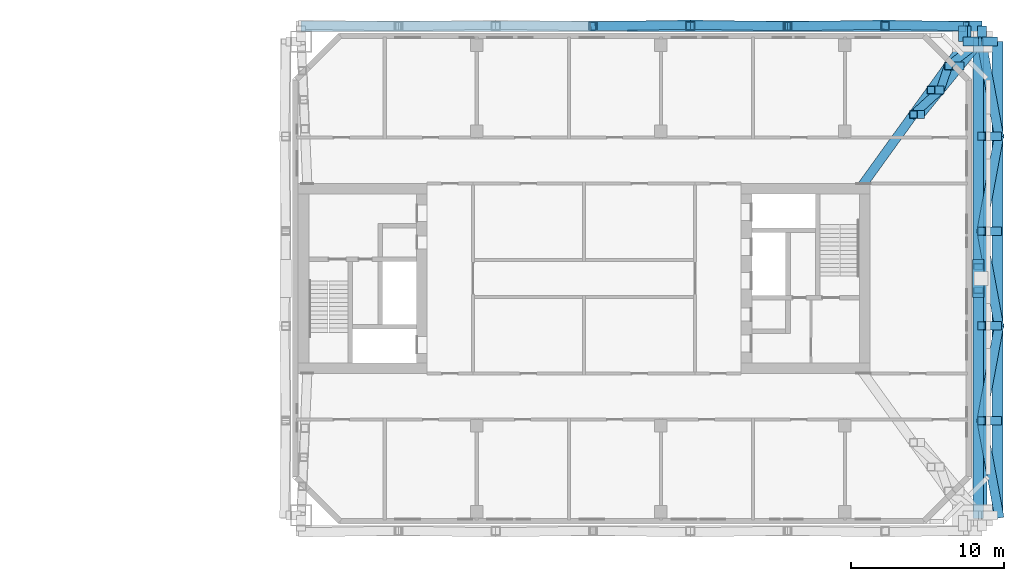
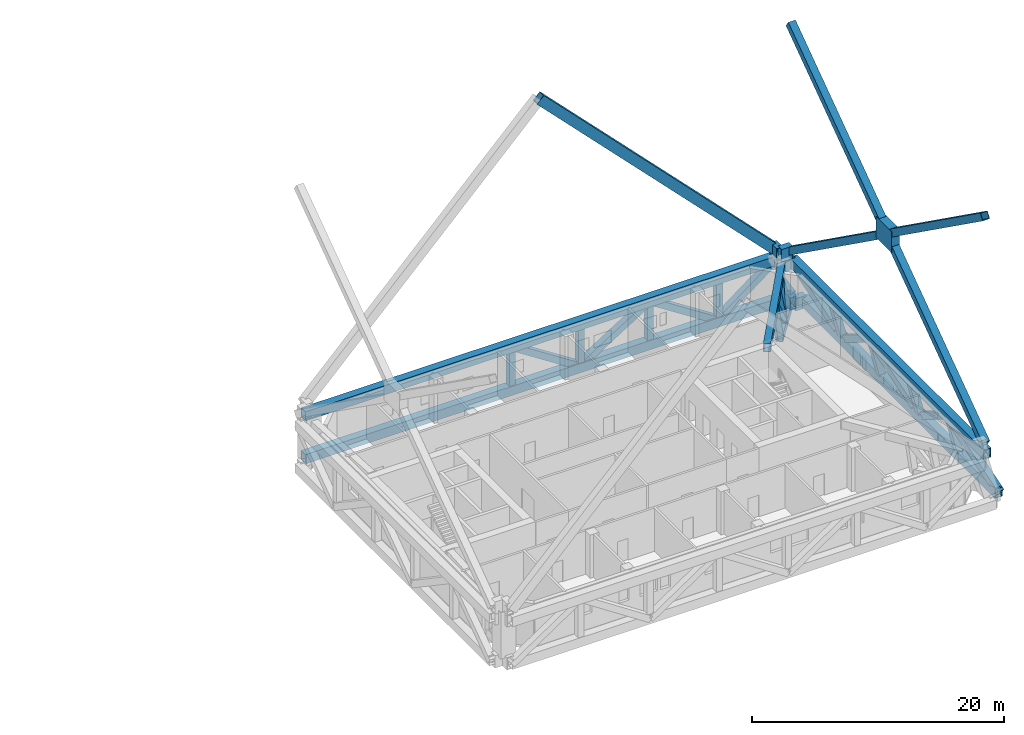
# One storey, part 5 of 20: 29 members, 12 beams.
"""IFC4 building model written with IfcOpenShell, lengths in metres."""

from ifc_helpers import new_model, si_unit, direction, frame, origin, origin_2d, place, context, subcontext, project, spatial, rectangle, hollow_rectangle, extrude, material, material_profile, profile_set, type_object, element, save


model = new_model("IFC4")

# Units and contexts
model_context = context("Model", 3, precision=1e-05, world=origin(), true_north=direction((0.0, 1.0)))
body_context = subcontext(model_context, "Body", "Model", "MODEL_VIEW")
ifc_project = project(units=[si_unit("LENGTHUNIT", "METRE"), si_unit("AREAUNIT", "SQUARE_METRE"), si_unit("VOLUMEUNIT", "CUBIC_METRE"), si_unit("PLANEANGLEUNIT", "RADIAN"), si_unit("MASSUNIT", "GRAM", prefix="KILO")], contexts=[model_context])

# Site, building, storey
site_placement = place(None, origin())
site = spatial("IfcSite", under=ifc_project, at=site_placement, CompositionType="ELEMENT")
building_placement = place(site_placement, origin())
building = spatial("IfcBuilding", under=site, at=building_placement, Name="Tuart Gate Housing", CompositionType="ELEMENT")
storey_placement = place(building_placement, frame((0.0, 0.0, 62.89990234375)))
storey = spatial("IfcBuildingStorey", under=building, at=storey_placement, Name="L17", CompositionType="ELEMENT", Elevation=62.89990234375)

# Beams
ifc_material_1 = material(Name="Steel Grade 350", Category="steel")
ifc_material_profile_1 = material_profile(ifc_material_1, hollow_rectangle(XDim=0.699951171875, YDim=0.89990234375, WallThickness=0.0400390625, at=origin_2d()), Name="BOX 900x700x40")
ifc_profile_set_1 = profile_set([ifc_material_profile_1], Name="Steel Grade 350")
beam_type_1 = type_object("IfcBeamType", Name="Belt truss chord BOX 900x700x40", PredefinedType="BEAM", material=ifc_profile_set_1)
beam_1_placement = place(storey_placement, frame((175.908203125, 54.550048828125, 3.75), z_axis=(0.0, 1.0, 0.0), x_axis=(-1.0, 0.0, 0.0)))
element("IfcBeam", 1, at=beam_1_placement, inside=storey, type_object=beam_type_1, Name="Belt truss top chord B east L17", PredefinedType="BEAM", context=body_context, shape_type="SweptSolid", body=[
    extrude(hollow_rectangle(XDim=0.699951171875, YDim=0.89990234375, WallThickness=0.0400390625, at=origin_2d()), origin(), (0.0, 0.0, 1.0), 30.89990234375),
])
ifc_material_2 = material(Name="Steel Grade 350", Category="steel")
ifc_material_profile_2 = material_profile(ifc_material_2, hollow_rectangle(XDim=0.699951171875, YDim=0.89990234375, WallThickness=0.0400390625, at=origin_2d()), Name="BOX 900x700x40")
ifc_profile_set_2 = profile_set([ifc_material_profile_2], Name="Steel Grade 350")
beam_type_2 = type_object("IfcBeamType", Name="Belt truss chord BOX 900x700x40 (40.9-51.9 m)", PredefinedType="BEAM", material=ifc_profile_set_2)
beam_2_placement = place(storey_placement, frame((131.550048828125, 86.449951171875, 3.75), z_axis=(1.0, 0.0, 0.0), x_axis=(0.0, 1.0, 0.0)))
element("IfcBeam", 2, at=beam_2_placement, inside=storey, type_object=beam_type_2, Name="Belt truss top chord B north L17", PredefinedType="BEAM", context=body_context, shape_type="SweptSolid", body=[
    extrude(hollow_rectangle(XDim=0.699951171875, YDim=0.89990234375, WallThickness=0.0400390625, at=origin_2d()), origin(), (0.0, 0.0, 1.0), 43.358154296875),
])

# Members
ifc_material_3 = material(Name="Steel Grade 350", Category="steel")
ifc_material_profile_3 = material_profile(ifc_material_3, hollow_rectangle(XDim=0.60009765625, YDim=0.60009765625, WallThickness=0.031982421875, at=origin_2d()), Name="BOX 600x600x32")
ifc_profile_set_3 = profile_set([ifc_material_profile_3], Name="Steel Grade 350")
member_type_1 = type_object("IfcMemberType", Name="Belt truss diagonal BOX 600x600x32", PredefinedType="BRACE", material=ifc_profile_set_3)
member_1_placement = place(storey_placement, frame((150.57861328125, 86.449951171875, 3.75), z_axis=(0.836733199961, 0.013204796458, -0.547451537064), x_axis=(-0.015779405464, 0.999875497431, 0.0)))
element("IfcMember", 3, at=member_1_placement, inside=storey, type_object=member_type_1, Name="Belt truss diagonal B north 3 L17", PredefinedType="BRACE", context=body_context, shape_type="SweptSolid", body=[
    extrude(hollow_rectangle(XDim=0.60009765625, YDim=0.60009765625, WallThickness=0.031982421875, at=origin_2d()), origin(), (0.0, 0.0, 1.0), 7.580322265625),
])
member_2_placement = place(storey_placement, frame((156.92138671875, 86.550048828125, -0.39990234375), z_axis=(0.836742857673, -0.013204440616, 0.54743678437), x_axis=(0.015778798271, 0.999875507013, 0.0)))
element("IfcMember", 4, at=member_2_placement, inside=storey, type_object=member_type_1, Name="Belt truss diagonal B north 4 L17", PredefinedType="BRACE", context=body_context, shape_type="SweptSolid", body=[
    extrude(hollow_rectangle(XDim=0.60009765625, YDim=0.60009765625, WallThickness=0.031982421875, at=origin_2d()), origin(), (0.0, 0.0, 1.0), 7.58056640625),
])
member_3_placement = place(storey_placement, frame((163.264404296875, 86.449951171875, 3.75), z_axis=(0.836733199961, 0.013204796458, -0.547451537064), x_axis=(-0.015779405464, 0.999875497431, 0.0)))
element("IfcMember", 5, at=member_3_placement, inside=storey, type_object=member_type_1, Name="Belt truss diagonal B north 5 L17", PredefinedType="BRACE", context=body_context, shape_type="SweptSolid", body=[
    extrude(hollow_rectangle(XDim=0.60009765625, YDim=0.60009765625, WallThickness=0.031982421875, at=origin_2d()), origin(), (0.0, 0.0, 1.0), 7.580322265625),
])
member_4_placement = place(storey_placement, frame((169.607177734375, 86.550048828125, -0.39990234375), z_axis=(0.787326138635, -0.014866840917, 0.616357468084), x_axis=(0.01887933153, 0.999821769537, 0.0)))
element("IfcMember", 6, at=member_4_placement, inside=storey, type_object=member_type_1, Name="Belt truss diagonal B north 6 L17", PredefinedType="BRACE", context=body_context, shape_type="SweptSolid", body=[
    extrude(hollow_rectangle(XDim=0.60009765625, YDim=0.60009765625, WallThickness=0.031982421875, at=origin_2d()), origin(), (0.0, 0.0, 1.0), 6.73291015625),
])
for number, where, z_axis, x_axis, name in (
    (7, (177.050048828125, 54.550048828125, -0.39990234375), (-0.151617936405, 0.820591153351, 0.551037349372), (-0.983355601449, -0.18169138972, 0.0), "Belt truss diagonal B east 0 L17"),
    (8, (175.908203125, 60.72998046875, 3.75), (0.151617936405, 0.820591153351, -0.551037349372), (-0.983355601449, 0.18169138972, 0.0), "Belt truss diagonal B east 1 L17"),
):
    element("IfcMember", number, at=place(storey_placement, frame(where, z_axis=z_axis, x_axis=x_axis)), inside=storey, type_object=member_type_1, Name=name, PredefinedType="BRACE", context=body_context, shape_type="SweptSolid", body=[
        extrude(hollow_rectangle(XDim=0.60009765625, YDim=0.60009765625, WallThickness=0.031982421875, at=origin_2d()), origin(), (0.0, 0.0, 1.0), 7.531005859375),
    ])
member_5_placement = place(storey_placement, frame((177.050048828125, 66.909912109375, -0.39990234375), z_axis=(-0.151613903185, 0.820601741551, 0.551022691115), x_axis=(-0.983356883812, -0.181684449142, 0.0)))
element("IfcMember", 9, at=member_5_placement, inside=storey, type_object=member_type_1, Name="Belt truss diagonal B east 2 L17", PredefinedType="BRACE", context=body_context, shape_type="SweptSolid", body=[
    extrude(hollow_rectangle(XDim=0.60009765625, YDim=0.60009765625, WallThickness=0.031982421875, at=origin_2d()), origin(), (0.0, 0.0, 1.0), 7.53125),
])
for number, where, z_axis, x_axis, name in (
    (10, (175.908203125, 73.090087890625, 3.75), (0.151617936405, 0.820591153351, -0.551037349372), (-0.983355601449, 0.18169138972, 0.0), "Belt truss diagonal B east 3 L17"),
    (11, (177.050048828125, 79.27001953125, -0.39990234375), (-0.151617936405, 0.820591153351, 0.551037349372), (-0.983355601449, -0.18169138972, 0.0), "Belt truss diagonal B east 4 L17"),
):
    element("IfcMember", number, at=place(storey_placement, frame(where, z_axis=z_axis, x_axis=x_axis)), inside=storey, type_object=member_type_1, Name=name, PredefinedType="BRACE", context=body_context, shape_type="SweptSolid", body=[
        extrude(hollow_rectangle(XDim=0.60009765625, YDim=0.60009765625, WallThickness=0.031982421875, at=origin_2d()), origin(), (0.0, 0.0, 1.0), 7.531005859375),
    ])
ifc_material_4 = material(Name="Steel Grade 350", Category="steel")
ifc_material_profile_4 = material_profile(ifc_material_4, hollow_rectangle(XDim=0.56005859375, YDim=0.56005859375, WallThickness=0.030029296875, at=origin_2d()), Name="BOX 560x560x30")
ifc_profile_set_4 = profile_set([ifc_material_profile_4], Name="Steel Grade 350")
member_type_2 = type_object("IfcMemberType", Name="Belt truss post BOX 560x560x30", PredefinedType="POST", material=ifc_profile_set_4)
for number, where, z_axis, x_axis, name in (
    (12, (150.57861328125, 86.449951171875, -0.39990234375), (0.0, 0.0, 1.0), (1.0, 0.0, 0.0), "Belt truss post B north 3 L17"),
    (13, (156.92138671875, 86.449951171875, -0.39990234375), (0.0, 0.0, 1.0), (1.0, 0.0, 0.0), "Belt truss post B north 4 L17"),
    (14, (163.264404296875, 86.449951171875, -0.39990234375), (0.0, 0.0, 1.0), (1.0, 0.0, 0.0), "Belt truss post B north 5 L17"),
    (15, (169.607177734375, 86.449951171875, -0.39990234375), (0.0, 0.0, 1.0), (1.0, 0.0, 0.0), "Belt truss post B north 6 L17"),
):
    element("IfcMember", number, at=place(storey_placement, frame(where, z_axis=z_axis, x_axis=x_axis)), inside=storey, type_object=member_type_2, Name=name, PredefinedType="POST", context=body_context, shape_type="SweptSolid", body=[
        extrude(hollow_rectangle(XDim=0.56005859375, YDim=0.56005859375, WallThickness=0.030029296875, at=origin_2d()), origin(), (0.0, 0.0, 1.0), 4.14990234375),
    ])
for number, where, z_axis, x_axis, name in (
    (16, (176.949951171875, 60.72998046875, -0.39990234375), (-0.243475324171, 0.0, 0.969907091695), (0.0, -1.0, 0.0), "Belt truss post B east 1 L17"),
    (17, (176.949951171875, 66.909912109375, -0.39990234375), (-0.243475324171, 0.0, 0.969907091695), (0.0, -1.0, 0.0), "Belt truss post B east 2 L17"),
    (18, (176.949951171875, 73.090087890625, -0.39990234375), (-0.243475324171, 0.0, 0.969907091695), (0.0, -1.0, 0.0), "Belt truss post B east 3 L17"),
    (19, (176.949951171875, 79.27001953125, -0.39990234375), (-0.243475324171, 0.0, 0.969907091695), (0.0, -1.0, 0.0), "Belt truss post B east 4 L17"),
):
    element("IfcMember", number, at=place(storey_placement, frame(where, z_axis=z_axis, x_axis=x_axis)), inside=storey, type_object=member_type_2, Name=name, PredefinedType="POST", context=body_context, shape_type="SweptSolid", body=[
        extrude(hollow_rectangle(XDim=0.56005859375, YDim=0.56005859375, WallThickness=0.030029296875, at=origin_2d()), origin(), (0.0, 0.0, 1.0), 4.278564453125),
    ])
ifc_material_5 = material(Name="Steel Grade 350", Category="steel")
ifc_material_profile_5 = material_profile(ifc_material_5, rectangle(XDim=2.446044921875, YDim=2.0048828125, at=origin_2d()), Name="Brace node plate 2446 x 2005")
ifc_profile_set_5 = profile_set([ifc_material_profile_5], Name="Steel Grade 350")
member_type_3 = type_object("IfcMemberType", Name="Brace node plate 2446 x 2005", PredefinedType="PLATE", material=ifc_profile_set_5)
member_6_placement = place(storey_placement, frame((175.320556640625, 70.0, 15.860107421875), z_axis=(1.0, 0.0, 0.0), x_axis=(0.0, 1.0, 0.0)))
element("IfcMember", 20, at=member_6_placement, inside=storey, type_object=member_type_3, Name="Brace node B zone 3 east", PredefinedType="PLATE", context=body_context, shape_type="SweptSolid", body=[
    extrude(rectangle(XDim=2.446044921875, YDim=2.0048828125, at=origin_2d()), origin(), (0.0, 0.0, 1.0), 0.759033203125),
])

# Beams
ifc_material_6 = material(Name="Steel Grade 350", Category="steel")
ifc_material_profile_6 = material_profile(ifc_material_6, hollow_rectangle(XDim=0.60009765625, YDim=1.199951171875, WallThickness=0.0400390625, at=origin_2d()), Name="BOX 1200x600x40")
ifc_profile_set_6 = profile_set([ifc_material_profile_6], Name="Steel Grade 350")
beam_type_3 = type_object("IfcBeamType", Name="Brace shoe BOX 1200x600x40", PredefinedType="BEAM", material=ifc_profile_set_6)
for number, where, z_axis, x_axis, name in (
    (21, (175.949951171875, 85.449951171875, -0.39990234375), (0.0, 1.0, 0.0), (-1.0, 0.0, 0.0), "Mega tie beam B node 2 north shoe 1 L17"),
    (22, (175.949951171875, 85.449951171875, -0.39990234375), (1.0, 0.0, 0.0), (0.0, 1.0, 0.0), "Mega tie beam B node 2 east shoe 1 L17"),
    (23, (174.699951171875, 85.449951171875, 4.820068359375), (0.0, 1.0, 0.0), (-1.0, 0.0, 0.0), "Mega brace shoe B zone 3 north chevron 2"),
    (24, (174.699951171875, 85.449951171875, 4.820068359375), (1.0, 0.0, 0.0), (0.0, 1.0, 0.0), "Mega brace shoe B zone 3 east cross 2"),
    (25, (174.908203125, 85.449951171875, 3.75), (0.0, 1.0, 0.0), (-1.0, 0.0, 0.0), "Belt truss top chord B north shoe 1 L17"),
    (26, (174.908203125, 85.449951171875, 3.75), (1.0, 0.0, 0.0), (0.0, 1.0, 0.0), "Belt truss top chord B east shoe 1 L17"),
):
    element("IfcBeam", number, at=place(storey_placement, frame(where, z_axis=z_axis, x_axis=x_axis)), inside=storey, type_object=beam_type_3, Name=name, PredefinedType="BEAM", context=body_context, shape_type="SweptSolid", body=[
        extrude(hollow_rectangle(XDim=0.60009765625, YDim=1.199951171875, WallThickness=0.0400390625, at=origin_2d()), origin(), (0.0, 0.0, 1.0), 1.0),
    ])

# Members
ifc_material_7 = material(Name="Steel Grade 350", Category="steel")
ifc_material_profile_7 = material_profile(ifc_material_7, hollow_rectangle(XDim=0.659912109375, YDim=0.659912109375, WallThickness=0.032958984375, at=origin_2d()), Name="BOX 660x660x33")
ifc_profile_set_7 = profile_set([ifc_material_profile_7], Name="Steel Grade 350")
member_type_4 = type_object("IfcMemberType", Name="Mega brace BOX 660x660x33", PredefinedType="BRACE", material=ifc_profile_set_7)
for number, where, z_axis, x_axis, name in (
    (27, (175.699951171875, 54.550048828125, 4.820068359375), (0.0, 0.813622806958, 0.581393092492), (-1.0, 0.0, 0.0), "Mega brace B zone 3 east cross 1 a"),
    (28, (175.699951171875, 70.77294921875, 16.412353515625), (0.0, 0.813622806958, 0.581393092492), (-1.0, 0.0, 0.0), "Mega brace B zone 3 east cross 1 b"),
    (29, (175.699951171875, 85.449951171875, 4.820068359375), (0.0, -0.813622806958, 0.581393092492), (1.0, 0.0, 0.0), "Mega brace B zone 3 east cross 2 a"),
    (30, (175.699951171875, 69.22705078125, 16.412353515625), (0.0, -0.813622806958, 0.581393092492), (1.0, 0.0, 0.0), "Mega brace B zone 3 east cross 2 b"),
):
    element("IfcMember", number, at=place(storey_placement, frame(where, z_axis=z_axis, x_axis=x_axis)), inside=storey, type_object=member_type_4, Name=name, PredefinedType="BRACE", context=body_context, shape_type="SweptSolid", body=[
        extrude(hollow_rectangle(XDim=0.659912109375, YDim=0.659912109375, WallThickness=0.032958984375, at=origin_2d()), origin(), (0.0, 0.0, 1.0), 18.0390625),
    ])
ifc_material_8 = material(Name="Steel Grade 350", Category="steel")
ifc_material_profile_8 = material_profile(ifc_material_8, hollow_rectangle(XDim=0.659912109375, YDim=0.89990234375, WallThickness=0.044921875, at=origin_2d()), Name="BOX 900x660x45")
ifc_profile_set_8 = profile_set([ifc_material_profile_8], Name="Steel Grade 350")
member_type_5 = type_object("IfcMemberType", Name="Mega brace BOX 900x660x45", PredefinedType="BRACE", material=ifc_profile_set_8)
member_7_placement = place(storey_placement, frame((174.699951171875, 86.449951171875, 4.820068359375), z_axis=(-0.698878152792, 0.0, 0.715240747966), x_axis=(0.0, -1.0, 0.0)))
element("IfcMember", 31, at=member_7_placement, inside=storey, type_object=member_type_5, Name="Mega brace B zone 3 north chevron 2", PredefinedType="BRACE", context=body_context, shape_type="SweptSolid", body=[
    extrude(hollow_rectangle(XDim=0.659912109375, YDim=0.89990234375, WallThickness=0.044921875, at=origin_2d()), origin(), (0.0, 0.0, 1.0), 30.870849609375),
])

# Beams
ifc_material_9 = material(Name="Steel Grade 350", Category="steel")
ifc_material_profile_9 = material_profile(ifc_material_9, hollow_rectangle(XDim=0.60009765625, YDim=0.800048828125, WallThickness=0.0400390625, at=origin_2d()), Name="BOX 800x600x40")
ifc_profile_set_9 = profile_set([ifc_material_profile_9], Name="Steel Grade 350")
beam_type_4 = type_object("IfcBeamType", Name="Outrigger chord BOX 800x600x40", PredefinedType="BEAM", material=ifc_profile_set_9)
beam_3_placement = place(storey_placement, frame((171.918701171875, 80.699951171875, 0.550048828125), z_axis=(0.632461325247, 0.774591939066, 0.0), x_axis=(-0.774591939066, 0.632461325247, 0.0)))
element("IfcBeam", 32, at=beam_3_placement, inside=storey, type_object=beam_type_4, Name="Outrigger bottom chord BK north 0 L17", PredefinedType="BEAM", context=body_context, shape_type="SweptSolid", body=[
    extrude(hollow_rectangle(XDim=0.60009765625, YDim=0.800048828125, WallThickness=0.0400390625, at=origin_2d()), origin(), (0.0, 0.0, 1.0), 6.13232421875),
])
ifc_material_10 = material(Name="Steel Grade 350", Category="steel")
ifc_material_profile_10 = material_profile(ifc_material_10, hollow_rectangle(XDim=0.60009765625, YDim=0.800048828125, WallThickness=0.0400390625, at=origin_2d()), Name="BOX 800x600x40")
ifc_profile_set_10 = profile_set([ifc_material_profile_10], Name="Steel Grade 350")
beam_type_5 = type_object("IfcBeamType", Name="Outrigger chord BOX 800x600x40 (11.2-13.4 m)", PredefinedType="BEAM", material=ifc_profile_set_10)
beam_4_placement = place(storey_placement, frame((168.0400390625, 75.949951171875, 3.800048828125), z_axis=(0.585105461426, 0.810957211577, 0.0), x_axis=(-0.810957211577, 0.585105461426, 0.0)))
element("IfcBeam", 33, at=beam_4_placement, inside=storey, type_object=beam_type_5, Name="Outrigger top chord BK north L17", PredefinedType="BEAM", context=body_context, shape_type="SweptSolid", body=[
    extrude(hollow_rectangle(XDim=0.60009765625, YDim=0.800048828125, WallThickness=0.0400390625, at=origin_2d()), origin(), (0.0, 0.0, 1.0), 11.714599609375),
])

# Members
ifc_material_11 = material(Name="Steel Grade 350", Category="steel")
ifc_material_profile_11 = material_profile(ifc_material_11, hollow_rectangle(XDim=0.5400390625, YDim=0.5400390625, WallThickness=0.030029296875, at=origin_2d()), Name="BOX 540x540x30")
ifc_profile_set_11 = profile_set([ifc_material_profile_11], Name="Steel Grade 350")
member_type_6 = type_object("IfcMemberType", Name="Outrigger diagonal BOX 540x540x30", PredefinedType="BRACE", material=ifc_profile_set_11)
member_8_placement = place(storey_placement, frame((171.46728515625, 80.699951171875, 3.800048828125), z_axis=(0.434527607804, 0.394444504005, -0.809690861574), x_axis=(-0.672130945207, 0.740432301088, 0.0)))
element("IfcMember", 34, at=member_8_placement, inside=storey, type_object=member_type_6, Name="Outrigger diagonal BK north 3 L17", PredefinedType="BRACE", context=body_context, shape_type="SweptSolid", body=[
    extrude(hollow_rectangle(XDim=0.5400390625, YDim=0.5400390625, WallThickness=0.030029296875, at=origin_2d()), origin(), (0.0, 0.0, 1.0), 4.013916015625),
])
member_9_placement = place(storey_placement, frame((173.21142578125, 82.283203125, 0.550048828125), z_axis=(0.147869916386, 0.433190730658, 0.889089578558), x_axis=(-0.946382500605, 0.323048235637, 0.0)))
element("IfcMember", 35, at=member_9_placement, inside=storey, type_object=member_type_6, Name="Outrigger diagonal BK north 4 L17", PredefinedType="BRACE", context=body_context, shape_type="SweptSolid", body=[
    extrude(hollow_rectangle(XDim=0.5400390625, YDim=0.5400390625, WallThickness=0.030029296875, at=origin_2d()), origin(), (0.0, 0.0, 1.0), 3.655517578125),
])
member_10_placement = place(storey_placement, frame((173.751953125, 83.86669921875, 3.800048828125), z_axis=(0.492391126144, 0.381181383913, -0.782465163092), x_axis=(-0.612148442535, 0.790742868638, 0.0)))
element("IfcMember", 36, at=member_10_placement, inside=storey, type_object=member_type_6, Name="Outrigger diagonal BK north 5 L17", PredefinedType="BRACE", context=body_context, shape_type="SweptSolid", body=[
    extrude(hollow_rectangle(XDim=0.5400390625, YDim=0.5400390625, WallThickness=0.030029296875, at=origin_2d()), origin(), (0.0, 0.0, 1.0), 4.153564453125),
])
ifc_material_12 = material(Name="Steel Grade 350", Category="steel")
ifc_material_profile_12 = material_profile(ifc_material_12, hollow_rectangle(XDim=0.52001953125, YDim=0.52001953125, WallThickness=0.028076171875, at=origin_2d()), Name="BOX 520x520x28")
ifc_profile_set_12 = profile_set([ifc_material_profile_12], Name="Steel Grade 350")
member_type_7 = type_object("IfcMemberType", Name="Outrigger post BOX 520x520x28", PredefinedType="POST", material=ifc_profile_set_12)
member_11_placement = place(storey_placement, frame((171.918701171875, 80.699951171875, 0.550048828125), z_axis=(-0.137576482131, 0.0, 0.990491146636), x_axis=(0.0, -1.0, 0.0)))
element("IfcMember", 37, at=member_11_placement, inside=storey, type_object=member_type_7, Name="Outrigger post BK north 3 L17", PredefinedType="POST", context=body_context, shape_type="SweptSolid", body=[
    extrude(hollow_rectangle(XDim=0.52001953125, YDim=0.52001953125, WallThickness=0.028076171875, at=origin_2d()), origin(), (0.0, 0.0, 1.0), 3.28125),
])
member_12_placement = place(storey_placement, frame((173.21142578125, 82.283203125, 0.550048828125), z_axis=(-0.182076035086, 0.0, 0.983284453984), x_axis=(0.0, -1.0, 0.0)))
element("IfcMember", 38, at=member_12_placement, inside=storey, type_object=member_type_7, Name="Outrigger post BK north 4 L17", PredefinedType="POST", context=body_context, shape_type="SweptSolid", body=[
    extrude(hollow_rectangle(XDim=0.52001953125, YDim=0.52001953125, WallThickness=0.028076171875, at=origin_2d()), origin(), (0.0, 0.0, 1.0), 3.30517578125),
])
member_13_placement = place(storey_placement, frame((174.50439453125, 83.86669921875, 0.550048828125), z_axis=(-0.225554290084, 0.0, 0.974230600128), x_axis=(0.0, -1.0, 0.0)))
element("IfcMember", 39, at=member_13_placement, inside=storey, type_object=member_type_7, Name="Outrigger post BK north 5 L17", PredefinedType="POST", context=body_context, shape_type="SweptSolid", body=[
    extrude(hollow_rectangle(XDim=0.52001953125, YDim=0.52001953125, WallThickness=0.028076171875, at=origin_2d()), origin(), (0.0, 0.0, 1.0), 3.3359375),
])

# Beams
ifc_material_13 = material(Name="Steel Grade 350", Category="steel")
ifc_material_profile_13 = material_profile(ifc_material_13, hollow_rectangle(XDim=0.699951171875, YDim=0.89990234375, WallThickness=0.0400390625, at=origin_2d()), Name="BOX 900x700x40")
ifc_profile_set_13 = profile_set([ifc_material_profile_13], Name="Steel Grade 350")
beam_type_6 = type_object("IfcBeamType", Name="Tie beam BOX 900x700x40", PredefinedType="BEAM", material=ifc_profile_set_13)
beam_5_placement = place(storey_placement, frame((176.949951171875, 54.550048828125, -0.39990234375), z_axis=(0.0, 1.0, 0.0), x_axis=(-1.0, 0.0, 0.0)))
element("IfcBeam", 40, at=beam_5_placement, inside=storey, type_object=beam_type_6, Name="Mega tie beam B node 2 east L17", PredefinedType="BEAM", context=body_context, shape_type="SweptSolid", body=[
    extrude(hollow_rectangle(XDim=0.699951171875, YDim=0.89990234375, WallThickness=0.0400390625, at=origin_2d()), origin(), (0.0, 0.0, 1.0), 30.89990234375),
])
ifc_material_14 = material(Name="Steel Grade 350", Category="steel")
ifc_material_profile_14 = material_profile(ifc_material_14, hollow_rectangle(XDim=0.699951171875, YDim=0.89990234375, WallThickness=0.0400390625, at=origin_2d()), Name="BOX 900x700x40")
ifc_profile_set_14 = profile_set([ifc_material_profile_14], Name="Steel Grade 350")
beam_type_7 = type_object("IfcBeamType", Name="Tie beam BOX 900x700x40 (40.6-51.7 m)", PredefinedType="BEAM", material=ifc_profile_set_14)
beam_6_placement = place(storey_placement, frame((131.550048828125, 86.449951171875, -0.39990234375), z_axis=(1.0, 0.0, 0.0), x_axis=(0.0, 1.0, 0.0)))
element("IfcBeam", 41, at=beam_6_placement, inside=storey, type_object=beam_type_7, Name="Mega tie beam B node 2 north L17", PredefinedType="BEAM", context=body_context, shape_type="SweptSolid", body=[
    extrude(hollow_rectangle(XDim=0.699951171875, YDim=0.89990234375, WallThickness=0.0400390625, at=origin_2d()), origin(), (0.0, 0.0, 1.0), 44.39990234375),
])

save(model, "model.ifc")
